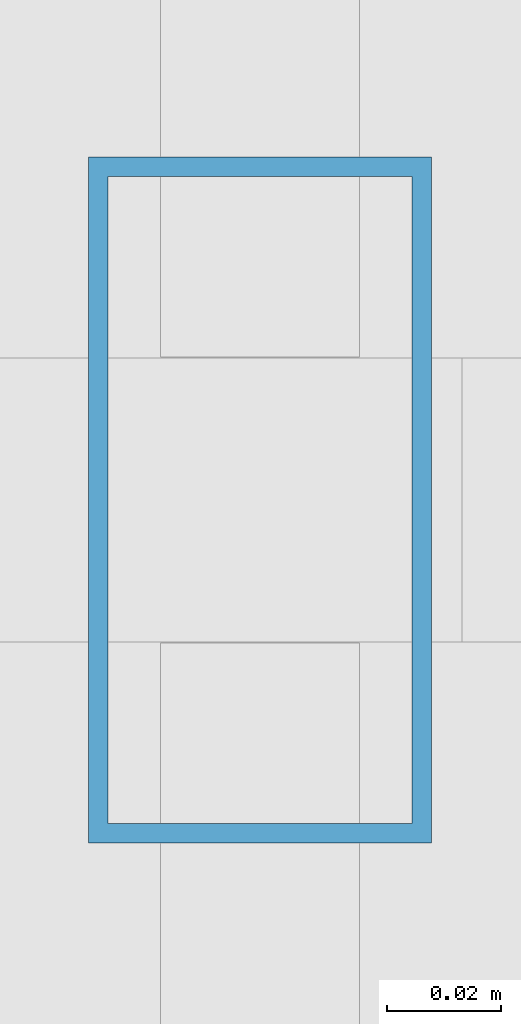
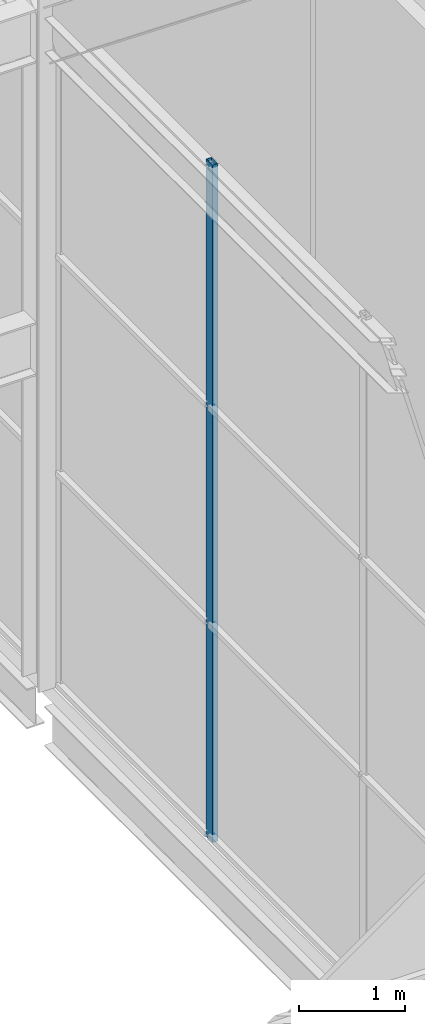
# One storey, part 67 of 144: 1 member, 1 element without a shape of its own.
"""IFC4 building model written with IfcOpenShell, lengths in metres."""

from ifc_helpers import new_model, si_unit, direction, frame, origin, origin_2d, place, context, subcontext, project, spatial, hollow_rectangle, extrude, material, layer, layer_set, material_profile, profile_set, type_object, element, aggregate, save


model = new_model("IFC4")

# Units and contexts
model_context = context("Model", 3, precision=1e-05, world=origin(), true_north=direction((0.0, 1.0)))
body_context = subcontext(model_context, "Body", "Model", "MODEL_VIEW")
ifc_project = project(units=[si_unit("LENGTHUNIT", "METRE"), si_unit("AREAUNIT", "SQUARE_METRE"), si_unit("VOLUMEUNIT", "CUBIC_METRE"), si_unit("PLANEANGLEUNIT", "RADIAN"), si_unit("MASSUNIT", "GRAM", prefix="KILO")], contexts=[model_context])

# Site, building, storey
site_placement = place(None, origin())
site = spatial("IfcSite", under=ifc_project, at=site_placement, CompositionType="ELEMENT")
building_placement = place(site_placement, origin())
building = spatial("IfcBuilding", under=site, at=building_placement, Name="Shorebreak Coast Museum", CompositionType="ELEMENT")
storey_placement = place(building_placement, frame((0.0, 0.0, 36.0)))
storey = spatial("IfcBuildingStorey", under=building, at=storey_placement, Name="L06", CompositionType="ELEMENT", Elevation=36.0)

# Curtain wall, member
ifc_material_1 = material(Name="Aluminium", Category="aluminium")
ifc_layer = layer(ifc_material_1, 0.1201171875)
ifc_layer_set = layer_set([ifc_layer], Name="Aluminium")
curtain_wall_type = type_object("IfcCurtainWallType", Name="Atrium fire screen", PredefinedType="NOTDEFINED", material=ifc_layer_set)
curtain_wall_placement = place(storey_placement, origin())
curtain_wall = element("IfcCurtainWall", 1, at=curtain_wall_placement, inside=storey, type_object=curtain_wall_type, Name="Atrium screen L06 E 91", PredefinedType="NOTDEFINED")
ifc_material_2 = material(Name="Aluminium", Category="aluminium")
ifc_material_profile = material_profile(ifc_material_2, hollow_rectangle(XDim=0.06005859375, YDim=0.1201171875, WallThickness=0.00341796875, at=origin_2d()), Name="AL 120x60 RHS")
ifc_profile_set = profile_set([ifc_material_profile], Name="Aluminium")
member_type = type_object("IfcMemberType", Name="Screen mullion 50 x 120", PredefinedType="MULLION", material=ifc_profile_set)
member_placement = place(storey_placement, frame((108.06005859375, 68.943359375, 0.0), z_axis=(0.0, 0.0, 1.0), x_axis=(-1.0, 0.0, 0.0)))
member = element("IfcMember", 2, at=member_placement, type_object=member_type, Name="CW5 mullion 3", PredefinedType="MULLION", context=body_context, shape_type="SweptSolid", body=[
    extrude(hollow_rectangle(XDim=0.06005859375, YDim=0.1201171875, WallThickness=0.00341796875, at=origin_2d()), origin(), (0.0, 0.0, 1.0), 7.800048828125),
])
aggregate(curtain_wall, [member])

save(model, "model.ifc")
